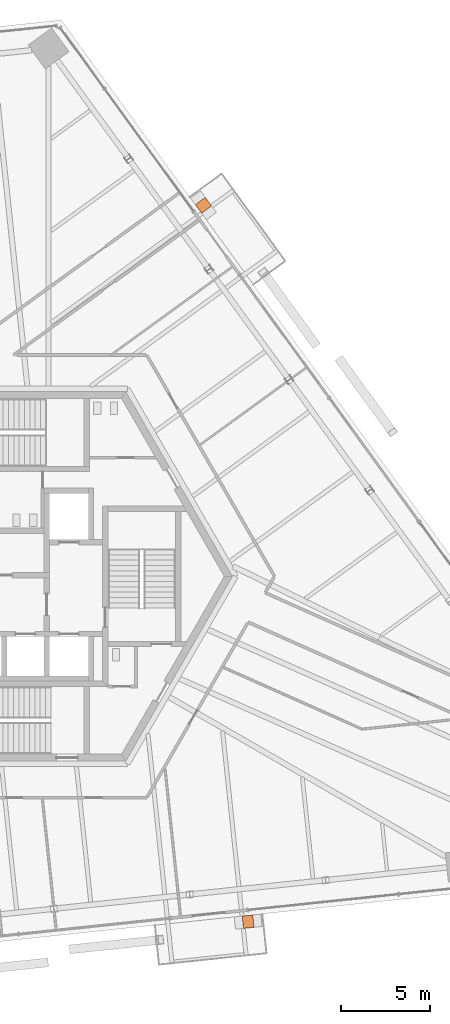
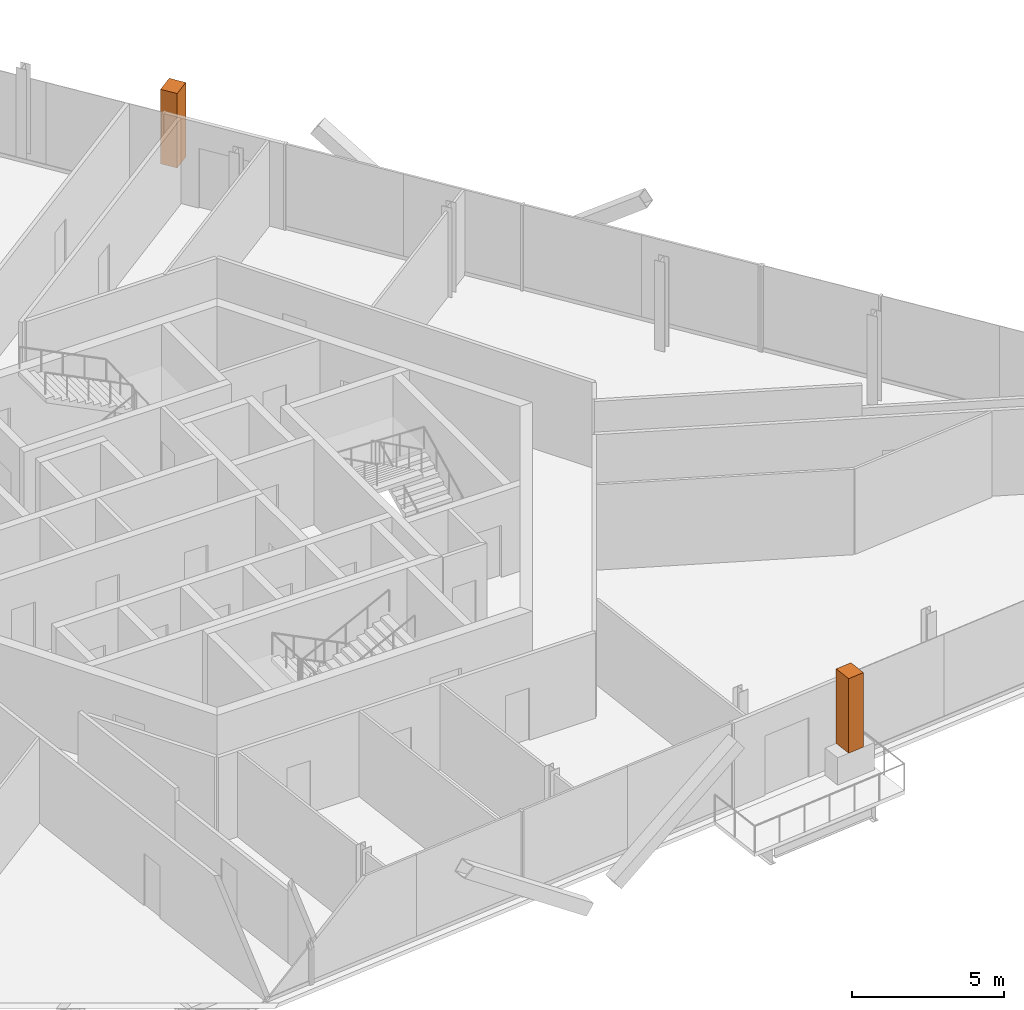
# One storey, part 18 of 18: 2 geographic elements.
"""IFC4 building model written with IfcOpenShell, lengths in metres."""

from ifc_helpers import new_model, si_unit, direction, frame, origin, origin_2d, place, context, subcontext, project, spatial, rectangle, extrude, source, transform, mapped, material, type_object, element, save


model = new_model("IFC4")

# Units and contexts
model_context = context("Model", 3, precision=1e-05, world=origin(), true_north=direction((0.0, 1.0)))
body_context = subcontext(model_context, "Body", "Model", "MODEL_VIEW")
ifc_project = project(units=[si_unit("LENGTHUNIT", "METRE"), si_unit("AREAUNIT", "SQUARE_METRE"), si_unit("VOLUMEUNIT", "CUBIC_METRE"), si_unit("PLANEANGLEUNIT", "RADIAN"), si_unit("MASSUNIT", "GRAM", prefix="KILO")], contexts=[model_context])

# Site, building, storey
site_placement = place(None, origin())
site = spatial("IfcSite", under=ifc_project, at=site_placement, CompositionType="ELEMENT")
building_placement = place(site_placement, origin())
building = spatial("IfcBuilding", under=site, at=building_placement, Name="Triune Harvest Tower", CompositionType="ELEMENT")
storey_placement = place(building_placement, frame((0.0, 0.0, 237.699951171875)))
storey = spatial("IfcBuildingStorey", under=building, at=storey_placement, Name="L62", CompositionType="ELEMENT", Elevation=237.699951171875)

# Geographic elements
ifc_material = material(Name="TREE-1 tree")
geographic_element_type = type_object("IfcGeographicElementType", Name="TREE-1 tree", PredefinedType="USERDEFINED", material=ifc_material)
shared_shape = source(origin(), body_context, "Body", "SweptSolid", [
    extrude(rectangle(XDim=0.60009765625, YDim=0.699951171875, at=origin_2d()), origin(), (0.0, 0.0, 1.0), 3.0),
])
for number, where, z_axis, x_axis, name in (
    (1, (10.37109375, 20.86328125, 1.10009765625), (0.0, 0.0, 1.0), (-0.587785672066, 0.809016689391, 0.0), "Tree B6-F1 L62.8b"),
    (2, (12.882568359375, -19.4130859375, 1.10009765625), (0.0, 0.0, 1.0), (0.994521747579, 0.104529869379, 0.0), "Tree B6-F5 L62.8b"),
):
    element("IfcGeographicElement", number, at=place(storey_placement, frame(where, z_axis=z_axis, x_axis=x_axis)), inside=storey, type_object=geographic_element_type, Name=name, ObjectType="TREE", PredefinedType="USERDEFINED", context=body_context, shape_type="MappedRepresentation", body=[
        mapped(shared_shape, transform((0.0, 0.0, 0.0), scale=1.0)),
    ])

save(model, "model.ifc")
